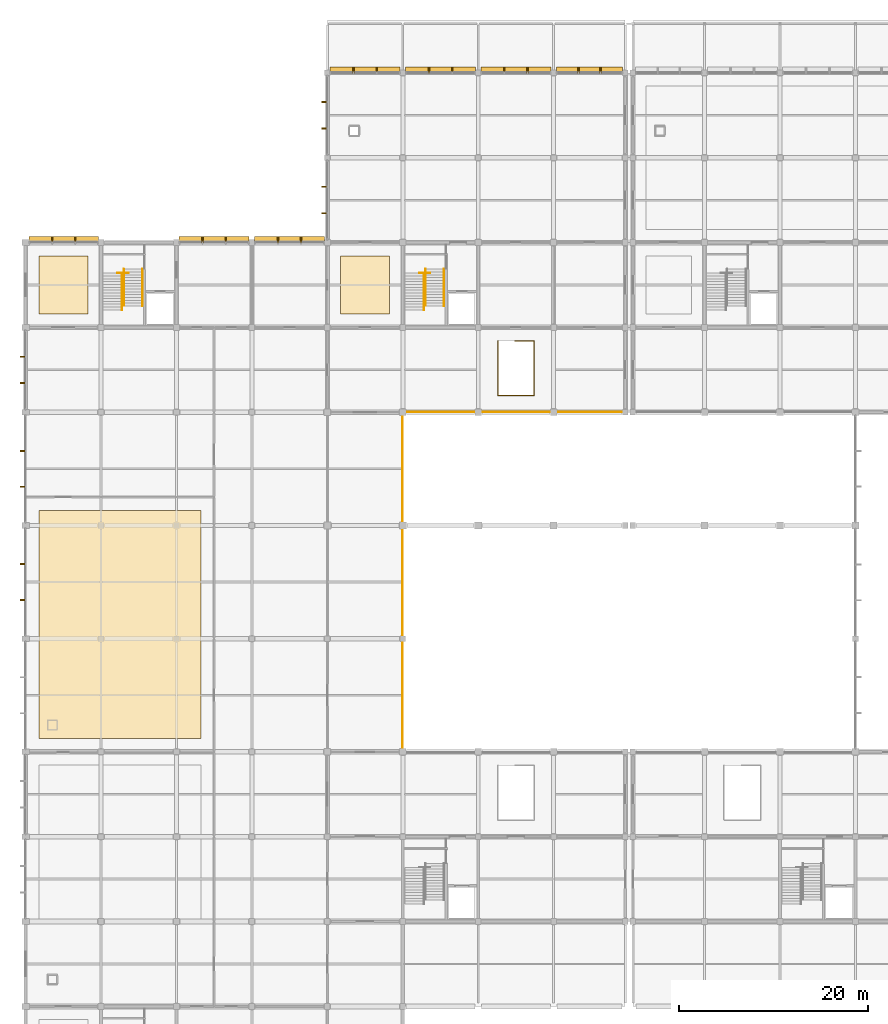
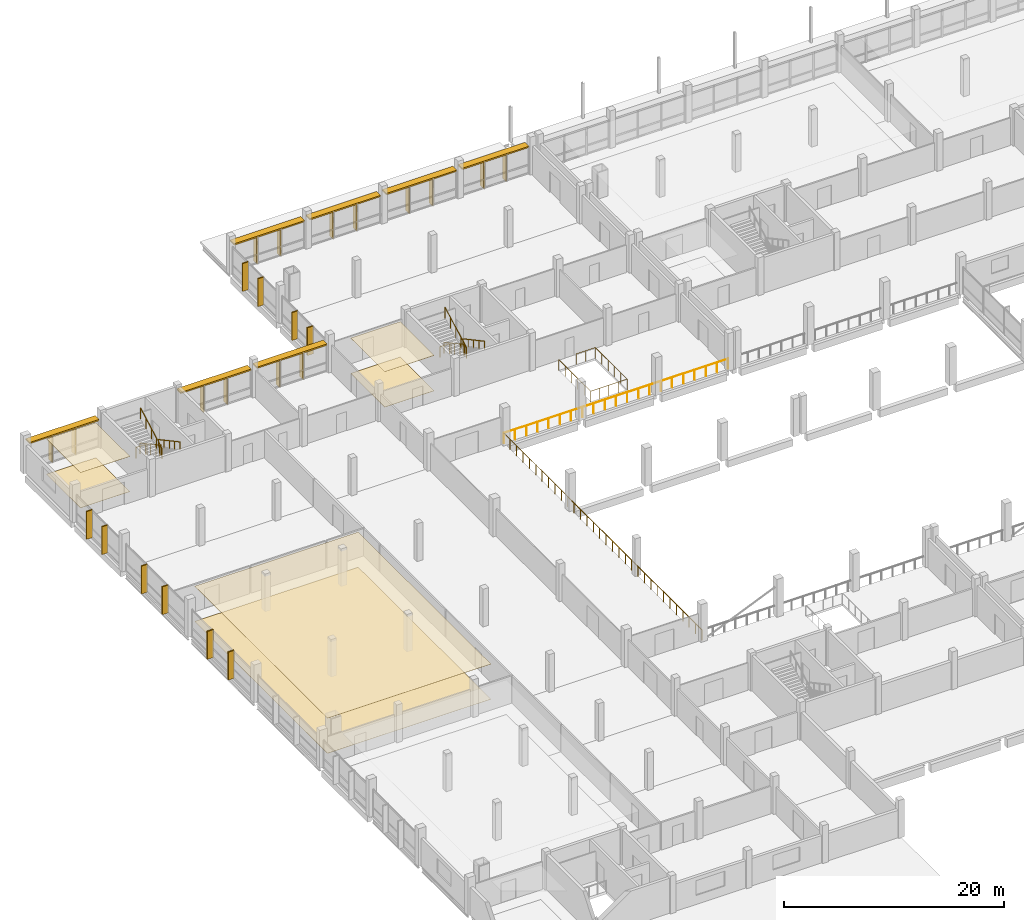
# One storey, part 54 of 57: 31 shading devices, 9 railings, 6 coverings.
"""IFC4 building model written with IfcOpenShell, lengths in metres."""

from ifc_helpers import new_model, si_unit, direction, frame, origin, origin_2d, place, context, subcontext, project, spatial, polyline, rectangle, circle, outline, extrude, material, layer, layer_set, type_object, element, save


model = new_model("IFC4")

# Units and contexts
model_context = context("Model", 3, precision=1e-05, world=origin(), true_north=direction((0.0, 1.0)))
body_context = subcontext(model_context, "Body", "Model", "MODEL_VIEW")
ifc_project = project(units=[si_unit("LENGTHUNIT", "METRE"), si_unit("AREAUNIT", "SQUARE_METRE"), si_unit("VOLUMEUNIT", "CUBIC_METRE"), si_unit("PLANEANGLEUNIT", "RADIAN"), si_unit("MASSUNIT", "GRAM", prefix="KILO"), si_unit("THERMODYNAMICTEMPERATUREUNIT", "KELVIN"), si_unit("POWERUNIT", "WATT")], contexts=[model_context])

# Site, building, storey
site_placement = place(None, origin())
site = spatial("IfcSite", under=ifc_project, at=site_placement, CompositionType="ELEMENT")
building_placement = place(site_placement, origin())
building = spatial("IfcBuilding", under=site, at=building_placement, Name="Kronsvod Quay Wholesale Market", CompositionType="ELEMENT")
storey_placement = place(building_placement, frame((0.0, 0.0, 4.800048828125)))
storey = spatial("IfcBuildingStorey", under=building, at=storey_placement, Name="L01", CompositionType="ELEMENT", Elevation=4.800048828125)

# Coverings
ifc_material_1 = material(Name="Hygienic washable aluminium baffle ceiling", Category="aluminium")
ifc_layer_1 = layer(ifc_material_1, 0.034912109375)
ifc_layer_set_1 = layer_set([ifc_layer_1], Name="Hygienic washable aluminium baffle ceiling")
covering_type_1 = type_object("IfcCoveringType", Name="Cov_Ceil02", PredefinedType="CEILING", material=ifc_layer_set_1)
covering_1_placement = place(storey_placement, frame((0.0, 0.0, 3.89501953125)))
element("IfcCovering", 1, at=covering_1_placement, inside=storey, type_object=covering_type_1, Name="CLG-SP-L01-V3-04", PredefinedType="CEILING", context=body_context, shape_type="SweptSolid", body=[
    extrude(outline(polyline([(1.39990234375, 55.39990234375), (18.60009765625, 55.39990234375), (18.60009765625, 79.60009765625), (1.39990234375, 79.60009765625), (1.39990234375, 55.39990234375)])), origin(), (0.0, 0.0, 1.0), 0.034912109375),
])
ifc_material_2 = material(Name="Moisture-resistant gypsum board ceiling")
ifc_layer_2 = layer(ifc_material_2, 0.02490234375)
ifc_layer_set_2 = layer_set([ifc_layer_2], Name="Moisture-resistant gypsum board ceiling")
covering_type_2 = type_object("IfcCoveringType", Name="Cov_Ceil03", PredefinedType="CEILING", material=ifc_layer_set_2)
covering_2_placement = place(storey_placement, frame((0.0, 0.0, 3.905029296875)))
element("IfcCovering", 2, at=covering_2_placement, inside=storey, type_object=covering_type_2, Name="CLG-SP-L01-V3-07", PredefinedType="CEILING", context=body_context, shape_type="SweptSolid", body=[
    extrude(outline(polyline([(1.39990234375, 100.39990234375), (6.60009765625, 100.39990234375), (6.60009765625, 106.60009765625), (1.39990234375, 106.60009765625), (1.39990234375, 100.39990234375)])), origin(), (0.0, 0.0, 1.0), 0.02490234375),
])
covering_3_placement = place(storey_placement, frame((0.0, 0.0, 3.925048828125)))
element("IfcCovering", 3, at=covering_3_placement, inside=storey, type_object=covering_type_2, Name="CLG-SP-L01-V5-04", PredefinedType="CEILING", context=body_context, shape_type="SweptSolid", body=[
    extrude(outline(polyline([(33.39990234375, 100.39990234375), (38.60009765625, 100.39990234375), (38.60009765625, 106.60009765625), (33.39990234375, 106.60009765625), (33.39990234375, 100.39990234375)])), origin(), (0.0, 0.0, 1.0), 0.02490234375),
])
ifc_material_3 = material(Name="Heavy-duty polyurethane resin market screed")
ifc_layer_3 = layer(ifc_material_3, 0.02001953125)
ifc_layer_set_3 = layer_set([ifc_layer_3], Name="Heavy-duty polyurethane resin market screed")
covering_type_3 = type_object("IfcCoveringType", Name="Cov_Floor01", PredefinedType="FLOORING", material=ifc_layer_set_3)
covering_4_placement = place(storey_placement, origin())
element("IfcCovering", 4, at=covering_4_placement, inside=storey, type_object=covering_type_3, Name="FLR-SP-L01-V3-07", PredefinedType="FLOORING", context=body_context, shape_type="SweptSolid", body=[
    extrude(outline(polyline([(1.39990234375, 100.39990234375), (6.60009765625, 100.39990234375), (6.60009765625, 106.60009765625), (1.39990234375, 106.60009765625), (1.39990234375, 100.39990234375)])), origin(), (0.0, 0.0, 1.0), 0.02001953125),
])
covering_5_placement = place(storey_placement, origin())
element("IfcCovering", 5, at=covering_5_placement, inside=storey, type_object=covering_type_3, Name="FLR-SP-L01-V5-04", PredefinedType="FLOORING", context=body_context, shape_type="SweptSolid", body=[
    extrude(outline(polyline([(33.39990234375, 100.39990234375), (38.60009765625, 100.39990234375), (38.60009765625, 106.60009765625), (33.39990234375, 106.60009765625), (33.39990234375, 100.39990234375)])), origin(), (0.0, 0.0, 1.0), 0.02001953125),
])
ifc_material_4 = material(Name="Antistatic laboratory vinyl flooring")
ifc_layer_4 = layer(ifc_material_4, 0.014892578125)
ifc_layer_set_4 = layer_set([ifc_layer_4], Name="Antistatic laboratory vinyl flooring")
covering_type_4 = type_object("IfcCoveringType", Name="Cov_Floor04", PredefinedType="FLOORING", material=ifc_layer_set_4)
covering_6_placement = place(storey_placement, origin())
element("IfcCovering", 6, at=covering_6_placement, inside=storey, type_object=covering_type_4, Name="FLR-SP-L01-V3-04", PredefinedType="FLOORING", context=body_context, shape_type="SweptSolid", body=[
    extrude(outline(polyline([(1.39990234375, 55.39990234375), (18.60009765625, 55.39990234375), (18.60009765625, 79.60009765625), (1.39990234375, 79.60009765625), (1.39990234375, 55.39990234375)])), origin(), (0.0, 0.0, 1.0), 0.014892578125),
])

# Railings
ifc_material_5 = material(Name="Stainless steel and laminated glass", Category="steel")
railing_type_1 = type_object("IfcRailingType", Name="Railing_Balustrade1150", PredefinedType="BALUSTRADE", material=ifc_material_5)
railing_1_placement = place(storey_placement, frame((39.949951171875, 53.949951171875, 0.0)))
element("IfcRailing", 7, at=railing_1_placement, inside=storey, type_object=railing_type_1, Name="GRD-L01-V1W", PredefinedType="BALUSTRADE", context=body_context, shape_type="SweptSolid", body=[
    extrude(circle(Radius=0.02392578125, at=origin_2d()), frame((0.0, 0.0, 1.1259765625), z_axis=(0.0, 1.0, 0.0), x_axis=(-1.0, 0.0, 0.0)), (0.0, 0.0, 1.0), 36.10009765625),
    extrude(circle(Radius=0.02099609375, at=origin_2d()), origin(), (0.0, 0.0, 1.0), 1.101806640625),
    extrude(circle(Radius=0.02099609375, at=origin_2d()), frame((0.0, 1.16455078125, 0.0)), (0.0, 0.0, 1.0), 1.101806640625),
    extrude(circle(Radius=0.02099609375, at=origin_2d()), frame((0.0, 2.3291015625, 0.0)), (0.0, 0.0, 1.0), 1.101806640625),
    extrude(circle(Radius=0.02099609375, at=origin_2d()), frame((0.0, 3.49365234375, 0.0)), (0.0, 0.0, 1.0), 1.101806640625),
    extrude(circle(Radius=0.02099609375, at=origin_2d()), frame((0.0, 4.657958984375, 0.0)), (0.0, 0.0, 1.0), 1.101806640625),
    extrude(circle(Radius=0.02099609375, at=origin_2d()), frame((0.0, 5.822509765625, 0.0)), (0.0, 0.0, 1.0), 1.101806640625),
    extrude(circle(Radius=0.02099609375, at=origin_2d()), frame((0.0, 6.987060546875, 0.0)), (0.0, 0.0, 1.0), 1.101806640625),
    extrude(circle(Radius=0.02099609375, at=origin_2d()), frame((0.0, 8.151611328125, 0.0)), (0.0, 0.0, 1.0), 1.101806640625),
    extrude(circle(Radius=0.02099609375, at=origin_2d()), frame((0.0, 9.316162109375, 0.0)), (0.0, 0.0, 1.0), 1.101806640625),
    extrude(circle(Radius=0.02099609375, at=origin_2d()), frame((0.0, 10.480712890625, 0.0)), (0.0, 0.0, 1.0), 1.101806640625),
    extrude(circle(Radius=0.02099609375, at=origin_2d()), frame((0.0, 11.645263671875, 0.0)), (0.0, 0.0, 1.0), 1.101806640625),
    extrude(circle(Radius=0.02099609375, at=origin_2d()), frame((0.0, 12.809814453125, 0.0)), (0.0, 0.0, 1.0), 1.101806640625),
    extrude(circle(Radius=0.02099609375, at=origin_2d()), frame((0.0, 13.97412109375, 0.0)), (0.0, 0.0, 1.0), 1.101806640625),
    extrude(circle(Radius=0.02099609375, at=origin_2d()), frame((0.0, 15.138671875, 0.0)), (0.0, 0.0, 1.0), 1.101806640625),
    extrude(circle(Radius=0.02099609375, at=origin_2d()), frame((0.0, 16.30322265625, 0.0)), (0.0, 0.0, 1.0), 1.101806640625),
    extrude(circle(Radius=0.02099609375, at=origin_2d()), frame((0.0, 17.4677734375, 0.0)), (0.0, 0.0, 1.0), 1.101806640625),
    extrude(circle(Radius=0.02099609375, at=origin_2d()), frame((0.0, 18.63232421875, 0.0)), (0.0, 0.0, 1.0), 1.101806640625),
    extrude(circle(Radius=0.02099609375, at=origin_2d()), frame((0.0, 19.796875, 0.0)), (0.0, 0.0, 1.0), 1.101806640625),
    extrude(circle(Radius=0.02099609375, at=origin_2d()), frame((0.0, 20.96142578125, 0.0)), (0.0, 0.0, 1.0), 1.101806640625),
    extrude(circle(Radius=0.02099609375, at=origin_2d()), frame((0.0, 22.1259765625, 0.0)), (0.0, 0.0, 1.0), 1.101806640625),
    extrude(circle(Radius=0.02099609375, at=origin_2d()), frame((0.0, 23.290283203125, 0.0)), (0.0, 0.0, 1.0), 1.101806640625),
    extrude(circle(Radius=0.02099609375, at=origin_2d()), frame((0.0, 24.454833984375, 0.0)), (0.0, 0.0, 1.0), 1.101806640625),
    extrude(circle(Radius=0.02099609375, at=origin_2d()), frame((0.0, 25.619384765625, 0.0)), (0.0, 0.0, 1.0), 1.101806640625),
    extrude(circle(Radius=0.02099609375, at=origin_2d()), frame((0.0, 26.783935546875, 0.0)), (0.0, 0.0, 1.0), 1.101806640625),
    extrude(circle(Radius=0.02099609375, at=origin_2d()), frame((0.0, 27.948486328125, 0.0)), (0.0, 0.0, 1.0), 1.101806640625),
    extrude(circle(Radius=0.02099609375, at=origin_2d()), frame((0.0, 29.113037109375, 0.0)), (0.0, 0.0, 1.0), 1.101806640625),
    extrude(circle(Radius=0.02099609375, at=origin_2d()), frame((0.0, 30.277587890625, 0.0)), (0.0, 0.0, 1.0), 1.101806640625),
    extrude(circle(Radius=0.02099609375, at=origin_2d()), frame((0.0, 31.442138671875, 0.0)), (0.0, 0.0, 1.0), 1.101806640625),
    extrude(circle(Radius=0.02099609375, at=origin_2d()), frame((0.0, 32.6064453125, 0.0)), (0.0, 0.0, 1.0), 1.101806640625),
    extrude(circle(Radius=0.02099609375, at=origin_2d()), frame((0.0, 33.77099609375, 0.0)), (0.0, 0.0, 1.0), 1.101806640625),
    extrude(circle(Radius=0.02099609375, at=origin_2d()), frame((0.0, 34.935546875, 0.0)), (0.0, 0.0, 1.0), 1.101806640625),
    extrude(circle(Radius=0.02099609375, at=origin_2d()), frame((0.0, 36.10009765625, 0.0)), (0.0, 0.0, 1.0), 1.101806640625),
])
railing_2_placement = place(storey_placement, frame((39.949951171875, 90.050048828125, 0.0)))
element("IfcRailing", 8, at=railing_2_placement, inside=storey, type_object=railing_type_1, Name="GRD-L01-V1N", PredefinedType="BALUSTRADE", context=body_context, shape_type="SweptSolid", body=[
    extrude(circle(Radius=0.02392578125, at=origin_2d()), frame((0.0, 0.0, 1.1259765625), z_axis=(1.0, 0.0, 0.0), x_axis=(0.0, 1.0, 0.0)), (0.0, 0.0, 1.0), 23.60009765625),
    extrude(circle(Radius=0.02099609375, at=origin_2d()), origin(), (0.0, 0.0, 1.0), 1.101806640625),
    extrude(circle(Radius=0.02099609375, at=origin_2d()), frame((1.179931640625, 0.0, 0.0)), (0.0, 0.0, 1.0), 1.101806640625),
    extrude(circle(Radius=0.02099609375, at=origin_2d()), frame((2.360107421875, 0.0, 0.0)), (0.0, 0.0, 1.0), 1.101806640625),
    extrude(circle(Radius=0.02099609375, at=origin_2d()), frame((3.5400390625, 0.0, 0.0)), (0.0, 0.0, 1.0), 1.101806640625),
    extrude(circle(Radius=0.02099609375, at=origin_2d()), frame((4.719970703125, 0.0, 0.0)), (0.0, 0.0, 1.0), 1.101806640625),
    extrude(circle(Radius=0.02099609375, at=origin_2d()), frame((5.89990234375, 0.0, 0.0)), (0.0, 0.0, 1.0), 1.101806640625),
    extrude(circle(Radius=0.02099609375, at=origin_2d()), frame((7.080078125, 0.0, 0.0)), (0.0, 0.0, 1.0), 1.101806640625),
    extrude(circle(Radius=0.02099609375, at=origin_2d()), frame((8.260009765625, 0.0, 0.0)), (0.0, 0.0, 1.0), 1.101806640625),
    extrude(circle(Radius=0.02099609375, at=origin_2d()), frame((9.43994140625, 0.0, 0.0)), (0.0, 0.0, 1.0), 1.101806640625),
    extrude(circle(Radius=0.02099609375, at=origin_2d()), frame((10.6201171875, 0.0, 0.0)), (0.0, 0.0, 1.0), 1.101806640625),
    extrude(circle(Radius=0.02099609375, at=origin_2d()), frame((11.800048828125, 0.0, 0.0)), (0.0, 0.0, 1.0), 1.101806640625),
    extrude(circle(Radius=0.02099609375, at=origin_2d()), frame((12.97998046875, 0.0, 0.0)), (0.0, 0.0, 1.0), 1.101806640625),
    extrude(circle(Radius=0.02099609375, at=origin_2d()), frame((14.16015625, 0.0, 0.0)), (0.0, 0.0, 1.0), 1.101806640625),
    extrude(circle(Radius=0.02099609375, at=origin_2d()), frame((15.340087890625, 0.0, 0.0)), (0.0, 0.0, 1.0), 1.101806640625),
    extrude(circle(Radius=0.02099609375, at=origin_2d()), frame((16.52001953125, 0.0, 0.0)), (0.0, 0.0, 1.0), 1.101806640625),
    extrude(circle(Radius=0.02099609375, at=origin_2d()), frame((17.7001953125, 0.0, 0.0)), (0.0, 0.0, 1.0), 1.101806640625),
    extrude(circle(Radius=0.02099609375, at=origin_2d()), frame((18.880126953125, 0.0, 0.0)), (0.0, 0.0, 1.0), 1.101806640625),
    extrude(circle(Radius=0.02099609375, at=origin_2d()), frame((20.06005859375, 0.0, 0.0)), (0.0, 0.0, 1.0), 1.101806640625),
    extrude(circle(Radius=0.02099609375, at=origin_2d()), frame((21.239990234375, 0.0, 0.0)), (0.0, 0.0, 1.0), 1.101806640625),
    extrude(circle(Radius=0.02099609375, at=origin_2d()), frame((22.420166015625, 0.0, 0.0)), (0.0, 0.0, 1.0), 1.101806640625),
    extrude(circle(Radius=0.02099609375, at=origin_2d()), frame((23.60009765625, 0.0, 0.0)), (0.0, 0.0, 1.0), 1.101806640625),
])
ifc_material_6 = material(Name="Stainless steel", Category="steel")
railing_type_2 = type_object("IfcRailingType", Name="Railing_Guard1200", PredefinedType="GUARDRAIL", material=ifc_material_6)
railing_3_placement = place(storey_placement, frame((9.75, 104.760009765625, 0.0)))
element("IfcRailing", 9, at=railing_3_placement, inside=storey, type_object=railing_type_2, Name="ST02-L00-TOP-GRD", PredefinedType="GUARDRAIL", context=body_context, shape_type="SweptSolid", body=[
    extrude(circle(Radius=0.02392578125, at=origin_2d()), frame((0.0, 0.0, 1.17578125), z_axis=(1.0, 0.0, 0.0), x_axis=(0.0, 1.0, 0.0)), (0.0, 0.0, 1.0), 1.159912109375),
    extrude(circle(Radius=0.02099609375, at=origin_2d()), origin(), (0.0, 0.0, 1.0), 1.15185546875),
    extrude(circle(Radius=0.02099609375, at=origin_2d()), frame((1.159912109375, 0.0, 0.0)), (0.0, 0.0, 1.0), 1.15185546875),
])
railing_4_placement = place(storey_placement, frame((10.419921875, 105.179931640625, 0.0)))
element("IfcRailing", 10, at=railing_4_placement, inside=storey, type_object=railing_type_2, Name="ST02-L01-SLOT-GRD", PredefinedType="GUARDRAIL", context=body_context, shape_type="SweptSolid", body=[
    extrude(circle(Radius=0.02392578125, at=origin_2d()), frame((0.0, 0.0, 1.17578125), z_axis=(0.0, -0.877901955688, 0.478840428744), x_axis=(1.0, 0.0, 0.0)), (0.0, 0.0, 1.0), 4.38525390625),
    extrude(circle(Radius=0.02392578125, at=origin_2d()), frame((0.0, -3.849853515625, 3.27587890625), z_axis=(-1.0, 0.0, 0.0), x_axis=(0.0, -1.0, 0.0)), (0.0, 0.0, 1.0), 0.179931640625),
    extrude(circle(Radius=0.02392578125, at=origin_2d()), frame((-0.179931640625, -3.849853515625, 3.27587890625), z_axis=(0.0, -1.0, 0.0), x_axis=(1.0, 0.0, 0.0)), (0.0, 0.0, 1.0), 0.469970703125),
    extrude(circle(Radius=0.02392578125, at=origin_2d()), frame((-0.179931640625, -4.31982421875, 3.27587890625), z_axis=(0.0, 0.880456940745, 0.474126117709), x_axis=(-1.0, 0.0, 0.0)), (0.0, 0.0, 1.0), 4.429443359375),
    extrude(circle(Radius=0.02099609375, at=origin_2d()), origin(), (0.0, 0.0, 1.0), 1.15185546875),
    extrude(circle(Radius=0.02099609375, at=origin_2d()), frame((0.0, -0.96240234375, 0.52490234375)), (0.0, 0.0, 1.0), 1.15185546875),
    extrude(circle(Radius=0.02099609375, at=origin_2d()), frame((0.0, -1.9248046875, 1.0498046875)), (0.0, 0.0, 1.0), 1.15185546875),
    extrude(circle(Radius=0.02099609375, at=origin_2d()), frame((0.0, -2.887451171875, 1.574951171875)), (0.0, 0.0, 1.0), 1.15185546875),
    extrude(circle(Radius=0.02099609375, at=origin_2d()), frame((0.0, -3.849853515625, 2.099853515625)), (0.0, 0.0, 1.0), 1.15185546875),
    extrude(circle(Radius=0.02099609375, at=origin_2d()), frame((-0.179931640625, -3.849853515625, 2.099853515625)), (0.0, 0.0, 1.0), 1.15185546875),
    extrude(circle(Radius=0.02099609375, at=origin_2d()), frame((-0.179931640625, -4.31982421875, 2.099853515625)), (0.0, 0.0, 1.0), 1.15185546875),
    extrude(circle(Radius=0.02099609375, at=origin_2d()), frame((-0.179931640625, -3.3447265625, 2.625)), (0.0, 0.0, 1.0), 1.15185546875),
    extrude(circle(Radius=0.02099609375, at=origin_2d()), frame((-0.179931640625, -2.369873046875, 3.14990234375)), (0.0, 0.0, 1.0), 1.15185546875),
    extrude(circle(Radius=0.02099609375, at=origin_2d()), frame((-0.179931640625, -1.39501953125, 3.6748046875)), (0.0, 0.0, 1.0), 1.15185546875),
    extrude(circle(Radius=0.02099609375, at=origin_2d()), frame((-0.179931640625, -0.419921875, 4.199951171875)), (0.0, 0.0, 1.0), 1.15185546875),
])
railing_5_placement = place(storey_placement, frame((41.75, 104.760009765625, 0.0)))
element("IfcRailing", 11, at=railing_5_placement, inside=storey, type_object=railing_type_2, Name="ST07-L00-TOP-GRD", PredefinedType="GUARDRAIL", context=body_context, shape_type="SweptSolid", body=[
    extrude(circle(Radius=0.02392578125, at=origin_2d()), frame((0.0, 0.0, 1.17578125), z_axis=(1.0, 0.0, 0.0), x_axis=(0.0, 1.0, 0.0)), (0.0, 0.0, 1.0), 1.159912109375),
    extrude(circle(Radius=0.02099609375, at=origin_2d()), origin(), (0.0, 0.0, 1.0), 1.15185546875),
    extrude(circle(Radius=0.02099609375, at=origin_2d()), frame((1.159912109375, 0.0, 0.0)), (0.0, 0.0, 1.0), 1.15185546875),
])
railing_6_placement = place(storey_placement, frame((42.39990234375, 105.179931640625, 0.0)))
element("IfcRailing", 12, at=railing_6_placement, inside=storey, type_object=railing_type_2, Name="ST07-L01-SLOT-GRD", PredefinedType="GUARDRAIL", context=body_context, shape_type="SweptSolid", body=[
    extrude(circle(Radius=0.02392578125, at=origin_2d()), frame((0.0, 0.0, 1.17578125), z_axis=(0.0, -0.877901955688, 0.478840428744), x_axis=(1.0, 0.0, 0.0)), (0.0, 0.0, 1.0), 4.38525390625),
    extrude(circle(Radius=0.02392578125, at=origin_2d()), frame((0.0, -3.849853515625, 3.27587890625), z_axis=(-1.0, 0.0, 0.0), x_axis=(0.0, -1.0, 0.0)), (0.0, 0.0, 1.0), 0.139892578125),
    extrude(circle(Radius=0.02392578125, at=origin_2d()), frame((-0.139892578125, -3.849853515625, 3.27587890625), z_axis=(0.0, -1.0, 0.0), x_axis=(1.0, 0.0, 0.0)), (0.0, 0.0, 1.0), 0.469970703125),
    extrude(circle(Radius=0.02392578125, at=origin_2d()), frame((-0.139892578125, -4.31982421875, 3.27587890625), z_axis=(0.0, 0.880456940745, 0.474126117709), x_axis=(-1.0, 0.0, 0.0)), (0.0, 0.0, 1.0), 4.429443359375),
    extrude(circle(Radius=0.02099609375, at=origin_2d()), origin(), (0.0, 0.0, 1.0), 1.15185546875),
    extrude(circle(Radius=0.02099609375, at=origin_2d()), frame((0.0, -0.96240234375, 0.52490234375)), (0.0, 0.0, 1.0), 1.15185546875),
    extrude(circle(Radius=0.02099609375, at=origin_2d()), frame((0.0, -1.9248046875, 1.0498046875)), (0.0, 0.0, 1.0), 1.15185546875),
    extrude(circle(Radius=0.02099609375, at=origin_2d()), frame((0.0, -2.887451171875, 1.574951171875)), (0.0, 0.0, 1.0), 1.15185546875),
    extrude(circle(Radius=0.02099609375, at=origin_2d()), frame((0.0, -3.849853515625, 2.099853515625)), (0.0, 0.0, 1.0), 1.15185546875),
    extrude(circle(Radius=0.02099609375, at=origin_2d()), frame((-0.139892578125, -3.849853515625, 2.099853515625)), (0.0, 0.0, 1.0), 1.15185546875),
    extrude(circle(Radius=0.02099609375, at=origin_2d()), frame((-0.139892578125, -4.31982421875, 2.099853515625)), (0.0, 0.0, 1.0), 1.15185546875),
    extrude(circle(Radius=0.02099609375, at=origin_2d()), frame((-0.139892578125, -3.3447265625, 2.625)), (0.0, 0.0, 1.0), 1.15185546875),
    extrude(circle(Radius=0.02099609375, at=origin_2d()), frame((-0.139892578125, -2.369873046875, 3.14990234375)), (0.0, 0.0, 1.0), 1.15185546875),
    extrude(circle(Radius=0.02099609375, at=origin_2d()), frame((-0.139892578125, -1.39501953125, 3.6748046875)), (0.0, 0.0, 1.0), 1.15185546875),
    extrude(circle(Radius=0.02099609375, at=origin_2d()), frame((-0.139892578125, -0.419921875, 4.199951171875)), (0.0, 0.0, 1.0), 1.15185546875),
])
railing_7_placement = place(storey_placement, frame((51.89990234375, 97.570068359375, 0.0)))
element("IfcRailing", 13, at=railing_7_placement, inside=storey, type_object=railing_type_2, Name="ST-CON-W-L01-GRD", PredefinedType="GUARDRAIL", context=body_context, shape_type="SweptSolid", body=[
    extrude(circle(Radius=0.02392578125, at=origin_2d()), frame((0.0, 0.0, 1.17578125), z_axis=(1.0, 0.0, 0.0), x_axis=(0.0, 1.0, 0.0)), (0.0, 0.0, 1.0), 2.02001953125),
    extrude(circle(Radius=0.02392578125, at=origin_2d()), frame((2.02001953125, 0.0, 1.17578125), z_axis=(0.0, -1.0, 0.0), x_axis=(1.0, 0.0, 0.0)), (0.0, 0.0, 1.0), 5.7900390625),
    extrude(circle(Radius=0.02392578125, at=origin_2d()), frame((2.02001953125, -5.7900390625, 1.17578125), z_axis=(-1.0, 0.0, 0.0), x_axis=(0.0, -1.0, 0.0)), (0.0, 0.0, 1.0), 3.83984375),
    extrude(circle(Radius=0.02392578125, at=origin_2d()), frame((-1.81982421875, -5.7900390625, 1.17578125), z_axis=(0.0, 1.0, 0.0), x_axis=(-1.0, 0.0, 0.0)), (0.0, 0.0, 1.0), 5.7900390625),
    extrude(circle(Radius=0.02099609375, at=origin_2d()), origin(), (0.0, 0.0, 1.0), 1.15185546875),
    extrude(circle(Radius=0.02099609375, at=origin_2d()), frame((1.010009765625, 0.0, 0.0)), (0.0, 0.0, 1.0), 1.15185546875),
    extrude(circle(Radius=0.02099609375, at=origin_2d()), frame((2.02001953125, 0.0, 0.0)), (0.0, 0.0, 1.0), 1.15185546875),
    extrude(circle(Radius=0.02099609375, at=origin_2d()), frame((2.02001953125, -1.157958984375, 0.0)), (0.0, 0.0, 1.0), 1.15185546875),
    extrude(circle(Radius=0.02099609375, at=origin_2d()), frame((2.02001953125, -2.31591796875, 0.0)), (0.0, 0.0, 1.0), 1.15185546875),
    extrude(circle(Radius=0.02099609375, at=origin_2d()), frame((2.02001953125, -3.47412109375, 0.0)), (0.0, 0.0, 1.0), 1.15185546875),
    extrude(circle(Radius=0.02099609375, at=origin_2d()), frame((2.02001953125, -4.632080078125, 0.0)), (0.0, 0.0, 1.0), 1.15185546875),
    extrude(circle(Radius=0.02099609375, at=origin_2d()), frame((2.02001953125, -5.7900390625, 0.0)), (0.0, 0.0, 1.0), 1.15185546875),
    extrude(circle(Radius=0.02099609375, at=origin_2d()), frame((1.06005859375, -5.7900390625, 0.0)), (0.0, 0.0, 1.0), 1.15185546875),
    extrude(circle(Radius=0.02099609375, at=origin_2d()), frame((0.10009765625, -5.7900390625, 0.0)), (0.0, 0.0, 1.0), 1.15185546875),
    extrude(circle(Radius=0.02099609375, at=origin_2d()), frame((-0.85986328125, -5.7900390625, 0.0)), (0.0, 0.0, 1.0), 1.15185546875),
    extrude(circle(Radius=0.02099609375, at=origin_2d()), frame((-1.81982421875, -5.7900390625, 0.0)), (0.0, 0.0, 1.0), 1.15185546875),
    extrude(circle(Radius=0.02099609375, at=origin_2d()), frame((-1.81982421875, -4.632080078125, 0.0)), (0.0, 0.0, 1.0), 1.15185546875),
    extrude(circle(Radius=0.02099609375, at=origin_2d()), frame((-1.81982421875, -3.47412109375, 0.0)), (0.0, 0.0, 1.0), 1.15185546875),
    extrude(circle(Radius=0.02099609375, at=origin_2d()), frame((-1.81982421875, -2.31591796875, 0.0)), (0.0, 0.0, 1.0), 1.15185546875),
    extrude(circle(Radius=0.02099609375, at=origin_2d()), frame((-1.81982421875, -1.157958984375, 0.0)), (0.0, 0.0, 1.0), 1.15185546875),
    extrude(circle(Radius=0.02099609375, at=origin_2d()), frame((-1.81982421875, 0.0, 0.0)), (0.0, 0.0, 1.0), 1.15185546875),
])
ifc_material_7 = material(Name="Stainless steel", Category="steel")
railing_type_3 = type_object("IfcRailingType", Name="Railing_Handrail900", PredefinedType="HANDRAIL", material=ifc_material_7)
for number, where, name in (
    (14, (12.3798828125, 105.179931640625, 0.0), "ST02-L01-HDR"),
    (15, (44.3798828125, 105.179931640625, 0.0), "ST07-L01-HDR"),
):
    element("IfcRailing", number, at=place(storey_placement, frame(where)), inside=storey, type_object=railing_type_3, Name=name, PredefinedType="HANDRAIL", context=body_context, shape_type="SweptSolid", body=[
        extrude(circle(Radius=0.02392578125, at=origin_2d()), frame((0.0, 0.0, 0.8759765625), z_axis=(0.0, -0.88047994924, 0.474083388219), x_axis=(1.0, 0.0, 0.0)), (0.0, 0.0, 1.0), 4.42919921875),
        extrude(circle(Radius=0.02099609375, at=origin_2d()), origin(), (0.0, 0.0, 1.0), 0.851806640625),
        extrude(circle(Radius=0.02099609375, at=origin_2d()), frame((0.0, -0.97509765625, 0.52490234375)), (0.0, 0.0, 1.0), 0.851806640625),
        extrude(circle(Radius=0.02099609375, at=origin_2d()), frame((0.0, -1.949951171875, 1.0498046875)), (0.0, 0.0, 1.0), 0.851806640625),
        extrude(circle(Radius=0.02099609375, at=origin_2d()), frame((0.0, -2.9248046875, 1.574951171875)), (0.0, 0.0, 1.0), 0.851806640625),
        extrude(circle(Radius=0.02099609375, at=origin_2d()), frame((0.0, -3.89990234375, 2.099853515625)), (0.0, 0.0, 1.0), 0.851806640625),
    ])

# Shading devices
ifc_material_8 = material(Name="Anodised aluminium", Category="aluminium")
shading_device_type_1 = type_object("IfcShadingDeviceType", Name="Shade_SolarFin", PredefinedType="AWNING", material=ifc_material_8)
for number, where, z_axis, x_axis, name in (
    (16, (2.831787109375, 108.280029296875, -0.02001953125), (0.0, 0.0, 1.0), (1.0, 0.0, 0.0), "SHDF-CWGX-L01-0-1080-28"),
    (17, (5.268310546875, 108.280029296875, -0.02001953125), (0.0, 0.0, 1.0), (1.0, 0.0, 0.0), "SHDF-CWGX-L01-0-1080-53"),
    (18, (18.764892578125, 108.280029296875, -0.02001953125), (0.0, 0.0, 1.0), (1.0, 0.0, 0.0), "SHDF-CWGX-L01-160-1080-188"),
    (19, (21.235107421875, 108.280029296875, -0.02001953125), (0.0, 0.0, 1.0), (1.0, 0.0, 0.0), "SHDF-CWGX-L01-160-1080-212"),
    (20, (26.756591796875, 108.280029296875, -0.02001953125), (0.0, 0.0, 1.0), (1.0, 0.0, 0.0), "SHDF-CWGX-L01-240-1080-268"),
    (21, (29.21826171875, 108.280029296875, -0.02001953125), (0.0, 0.0, 1.0), (1.0, 0.0, 0.0), "SHDF-CWGX-L01-240-1080-292"),
    (22, (34.764892578125, 126.280029296875, -0.02001953125), (0.0, 0.0, 1.0), (1.0, 0.0, 0.0), "SHDF-CWGX-L01-320-1260-348"),
    (23, (37.235107421875, 126.280029296875, -0.02001953125), (0.0, 0.0, 1.0), (1.0, 0.0, 0.0), "SHDF-CWGX-L01-320-1260-372"),
    (24, (42.764892578125, 126.280029296875, -0.02001953125), (0.0, 0.0, 1.0), (1.0, 0.0, 0.0), "SHDF-CWGX-L01-400-1260-428"),
    (25, (45.235107421875, 126.280029296875, -0.02001953125), (0.0, 0.0, 1.0), (1.0, 0.0, 0.0), "SHDF-CWGX-L01-400-1260-452"),
    (26, (50.764892578125, 126.280029296875, -0.02001953125), (0.0, 0.0, 1.0), (1.0, 0.0, 0.0), "SHDF-CWGX-L01-480-1260-508"),
    (27, (53.235107421875, 126.280029296875, -0.02001953125), (0.0, 0.0, 1.0), (1.0, 0.0, 0.0), "SHDF-CWGX-L01-480-1260-532"),
    (28, (58.631591796875, 126.280029296875, -0.02001953125), (0.0, 0.0, 1.0), (1.0, 0.0, 0.0), "SHDF-CWGX-L01-560-1260-586"),
    (29, (60.96826171875, 126.280029296875, -0.02001953125), (0.0, 0.0, 1.0), (1.0, 0.0, 0.0), "SHDF-CWGX-L01-560-1260-610"),
):
    element("IfcShadingDevice", number, at=place(storey_placement, frame(where, z_axis=z_axis, x_axis=x_axis)), inside=storey, type_object=shading_device_type_1, Name=name, PredefinedType="AWNING", context=body_context, shape_type="SweptSolid", body=[
        extrude(rectangle(XDim=0.139892578125, YDim=0.6201171875, at=origin_2d()), origin(), (0.0, 0.0, 1.0), 3.090087890625),
    ])
for number, where, z_axis, x_axis, name in (
    (30, (-0.280029296875, 70.098388671875, -0.02001953125), (0.0, 0.0, 1.0), (1.0, 0.0, 0.0), "SHDF-CWGY-L01-0-660-701"),
    (31, (-0.280029296875, 73.901611328125, -0.02001953125), (0.0, 0.0, 1.0), (1.0, 0.0, 0.0), "SHDF-CWGY-L01-0-660-739"),
    (32, (-0.280029296875, 82.098388671875, -0.02001953125), (0.0, 0.0, 1.0), (1.0, 0.0, 0.0), "SHDF-CWGY-L01-0-780-821"),
    (33, (-0.280029296875, 85.901611328125, -0.02001953125), (0.0, 0.0, 1.0), (1.0, 0.0, 0.0), "SHDF-CWGY-L01-0-780-859"),
    (34, (-0.280029296875, 93.098388671875, -0.02001953125), (0.0, 0.0, 1.0), (1.0, 0.0, 0.0), "SHDF-CWGY-L01-0-900-931"),
    (35, (-0.280029296875, 95.901611328125, -0.02001953125), (0.0, 0.0, 1.0), (1.0, 0.0, 0.0), "SHDF-CWGY-L01-0-900-959"),
    (36, (31.719970703125, 111.114990234375, -0.02001953125), (0.0, 0.0, 1.0), (1.0, 0.0, 0.0), "SHDF-CWGY-L01-320-1080-1111"),
    (37, (31.719970703125, 113.909912109375, -0.02001953125), (0.0, 0.0, 1.0), (1.0, 0.0, 0.0), "SHDF-CWGY-L01-320-1080-1139"),
    (38, (31.719970703125, 120.098388671875, -0.02001953125), (0.0, 0.0, 1.0), (1.0, 0.0, 0.0), "SHDF-CWGY-L01-320-1170-1201"),
    (39, (31.719970703125, 122.901611328125, -0.02001953125), (0.0, 0.0, 1.0), (1.0, 0.0, 0.0), "SHDF-CWGY-L01-320-1170-1229"),
):
    element("IfcShadingDevice", number, at=place(storey_placement, frame(where, z_axis=z_axis, x_axis=x_axis)), inside=storey, type_object=shading_device_type_1, Name=name, PredefinedType="AWNING", context=body_context, shape_type="SweptSolid", body=[
        extrude(rectangle(XDim=0.6201171875, YDim=0.139892578125, at=origin_2d()), origin(), (0.0, 0.0, 1.0), 3.090087890625),
    ])
ifc_material_9 = material(Name="Anodised aluminium sunshade hood", Category="aluminium")
shading_device_type_2 = type_object("IfcShadingDeviceType", Name="Shade_SunHood", PredefinedType="AWNING", material=ifc_material_9)
shading_device_1_placement = place(storey_placement, frame((4.050048828125, 108.280029296875, 2.93017578125), z_axis=(0.0, 0.0, 1.0), x_axis=(1.0, 0.0, 0.0)))
element("IfcShadingDevice", 40, at=shading_device_1_placement, inside=storey, type_object=shading_device_type_2, Name="SHDH-CWGX-L01-0-1080", PredefinedType="AWNING", context=body_context, shape_type="SweptSolid", body=[
    extrude(rectangle(XDim=7.330078125, YDim=0.719970703125, at=origin_2d()), origin(), (0.0, 0.0, 1.0), 0.159912109375),
])
shading_device_2_placement = place(storey_placement, frame((20.0, 108.280029296875, 2.93017578125), z_axis=(0.0, 0.0, 1.0), x_axis=(1.0, 0.0, 0.0)))
element("IfcShadingDevice", 41, at=shading_device_2_placement, inside=storey, type_object=shading_device_type_2, Name="SHDH-CWGX-L01-160-1080", PredefinedType="AWNING", context=body_context, shape_type="SweptSolid", body=[
    extrude(rectangle(XDim=7.429931640625, YDim=0.719970703125, at=origin_2d()), origin(), (0.0, 0.0, 1.0), 0.159912109375),
])
shading_device_3_placement = place(storey_placement, frame((27.987548828125, 108.280029296875, 2.93017578125), z_axis=(0.0, 0.0, 1.0), x_axis=(1.0, 0.0, 0.0)))
element("IfcShadingDevice", 42, at=shading_device_3_placement, inside=storey, type_object=shading_device_type_2, Name="SHDH-CWGX-L01-240-1080", PredefinedType="AWNING", context=body_context, shape_type="SweptSolid", body=[
    extrude(rectangle(XDim=7.405029296875, YDim=0.719970703125, at=origin_2d()), origin(), (0.0, 0.0, 1.0), 0.159912109375),
])
for number, where, z_axis, x_axis, name in (
    (43, (36.0, 126.280029296875, 2.93017578125), (0.0, 0.0, 1.0), (1.0, 0.0, 0.0), "SHDH-CWGX-L01-320-1260"),
    (44, (44.0, 126.280029296875, 2.93017578125), (0.0, 0.0, 1.0), (1.0, 0.0, 0.0), "SHDH-CWGX-L01-400-1260"),
    (45, (52.0, 126.280029296875, 2.93017578125), (0.0, 0.0, 1.0), (1.0, 0.0, 0.0), "SHDH-CWGX-L01-480-1260"),
):
    element("IfcShadingDevice", number, at=place(storey_placement, frame(where, z_axis=z_axis, x_axis=x_axis)), inside=storey, type_object=shading_device_type_2, Name=name, PredefinedType="AWNING", context=body_context, shape_type="SweptSolid", body=[
        extrude(rectangle(XDim=7.429931640625, YDim=0.719970703125, at=origin_2d()), origin(), (0.0, 0.0, 1.0), 0.159912109375),
    ])
shading_device_4_placement = place(storey_placement, frame((59.800048828125, 126.280029296875, 2.93017578125), z_axis=(0.0, 0.0, 1.0), x_axis=(1.0, 0.0, 0.0)))
element("IfcShadingDevice", 46, at=shading_device_4_placement, inside=storey, type_object=shading_device_type_2, Name="SHDH-CWGX-L01-560-1260", PredefinedType="AWNING", context=body_context, shape_type="SweptSolid", body=[
    extrude(rectangle(XDim=7.030029296875, YDim=0.719970703125, at=origin_2d()), origin(), (0.0, 0.0, 1.0), 0.159912109375),
])

save(model, "model.ifc")
